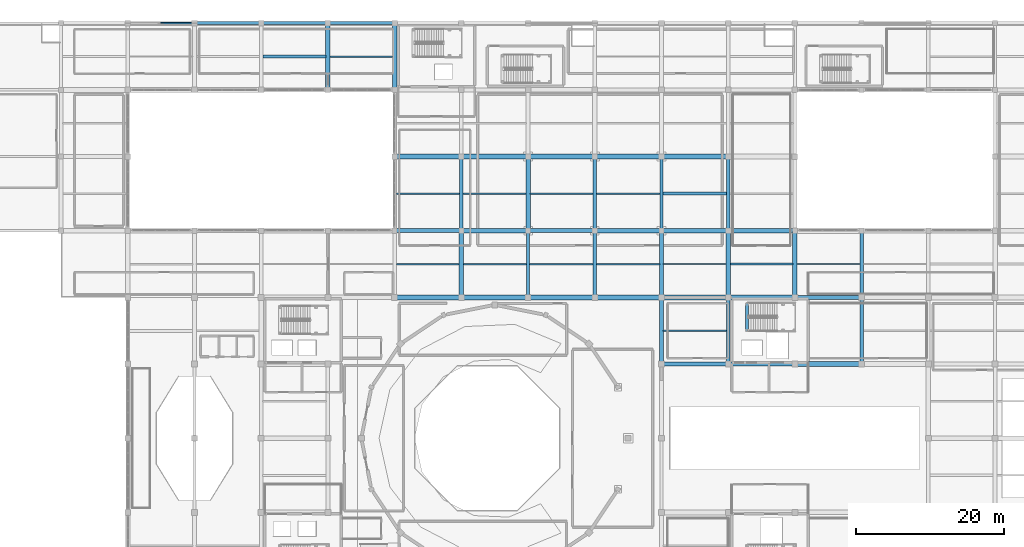
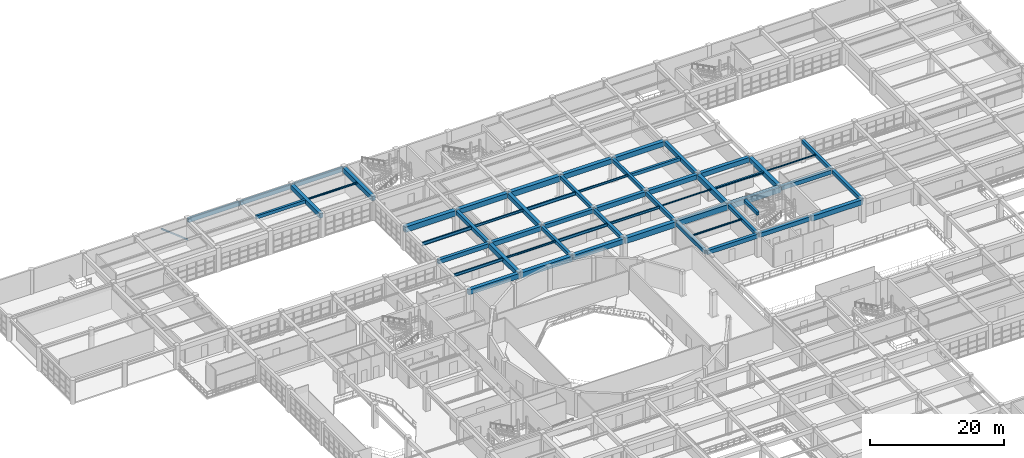
# One storey, part 72 of 133: 57 beams, 1 member.
"""IFC4 building model written with IfcOpenShell, lengths in metres."""

from ifc_helpers import new_model, si_unit, direction, frame, origin, origin_2d, place, context, subcontext, project, spatial, rectangle, hollow_rectangle, i_section, extrude, material, material_profile, profile_set, type_object, element, save


model = new_model("IFC4")

# Units and contexts
model_context = context("Model", 3, precision=1e-05, world=origin(), true_north=direction((0.0, 1.0)))
body_context = subcontext(model_context, "Body", "Model", "MODEL_VIEW")
ifc_project = project(units=[si_unit("LENGTHUNIT", "METRE"), si_unit("AREAUNIT", "SQUARE_METRE"), si_unit("VOLUMEUNIT", "CUBIC_METRE"), si_unit("PLANEANGLEUNIT", "RADIAN"), si_unit("MASSUNIT", "GRAM", prefix="KILO")], contexts=[model_context])

# Site, building, storey
site_placement = place(None, origin())
site = spatial("IfcSite", under=ifc_project, at=site_placement, CompositionType="ELEMENT")
building_placement = place(site_placement, origin())
building = spatial("IfcBuilding", under=site, at=building_placement, Name="Miravela Opera House", CompositionType="ELEMENT")
storey_placement = place(building_placement, frame((0.0, 0.0, 5.10009765625)))
storey = spatial("IfcBuildingStorey", under=building, at=storey_placement, Name="L01", CompositionType="ELEMENT", Elevation=5.10009765625)

# Beams
ifc_material_1 = material(Name="Concrete C35/45", Category="concrete")
ifc_material_profile_1 = material_profile(ifc_material_1, rectangle(XDim=0.39990234375, YDim=0.60009765625, at=origin_2d()), Name="RC-BM-400X600")
ifc_profile_set_1 = profile_set([ifc_material_profile_1])
beam_type_1 = type_object("IfcBeamType", Name="STR-BM-RC400X600", PredefinedType="JOIST", material=ifc_profile_set_1)
beam_1_placement = place(storey_placement, frame((45.22509765625, 107.5, 3.85986328125), z_axis=(1.0, 0.0, 0.0), x_axis=(0.0, 1.0, 0.0)))
element("IfcBeam", 1, at=beam_1_placement, inside=storey, type_object=beam_type_1, Name="Secondary Floor Joist L01 6-7/L-M", PredefinedType="JOIST", context=body_context, shape_type="SweptSolid", body=[
    extrude(rectangle(XDim=0.39990234375, YDim=0.60009765625, at=origin_2d()), origin(), (0.0, 0.0, 1.0), 8.489990234375),
])
beam_2_placement = place(storey_placement, frame((99.2099609375, 89.0, 3.85986328125), z_axis=(1.0, 0.0, 0.0), x_axis=(0.0, 1.0, 0.0)))
element("IfcBeam", 2, at=beam_2_placement, inside=storey, type_object=beam_type_1, Name="Secondary Floor Joist L01 12-13/J-K", PredefinedType="JOIST", context=body_context, shape_type="SweptSolid", body=[
    extrude(rectangle(XDim=0.39990234375, YDim=0.60009765625, at=origin_2d()), origin(), (0.0, 0.0, 1.0), 8.554931640625),
])
beam_3_placement = place(storey_placement, frame((110.5400390625, 70.39990234375, 4.119873046875), z_axis=(0.0, 1.0, 0.0), x_axis=(-1.0, 0.0, 0.0)))
element("IfcBeam", 3, at=beam_3_placement, inside=storey, type_object=beam_type_1, Name="Stair K3 Opening Header Trimmer Beam 02", PredefinedType="JOIST", context=body_context, shape_type="SweptSolid", body=[
    extrude(rectangle(XDim=0.39990234375, YDim=0.60009765625, at=origin_2d()), origin(), (0.0, 0.0, 1.0), 3.880126953125),
])
ifc_material_profile_2 = material_profile(ifc_material_1, rectangle(XDim=0.449951171875, YDim=0.64990234375, at=origin_2d()), Name="RC-BM-450X650")
ifc_profile_set_2 = profile_set([ifc_material_profile_2])
beam_type_2 = type_object("IfcBeamType", Name="STR-BM-RC450X650", PredefinedType="BEAM", material=ifc_profile_set_2)
beam_4_placement = place(storey_placement, frame((81.0, 75.080078125, 3.8349609375), z_axis=(0.0, 1.0, 0.0), x_axis=(-1.0, 0.0, 0.0)))
element("IfcBeam", 4, at=beam_4_placement, inside=storey, type_object=beam_type_2, Name="Floor Girder L01 10/I-J", PredefinedType="BEAM", context=body_context, shape_type="SweptSolid", body=[
    extrude(rectangle(XDim=0.449951171875, YDim=0.64990234375, at=origin_2d()), origin(), (0.0, 0.0, 1.0), 8.83984375),
])
for number, where, z_axis, x_axis, name in (
    (5, (90.0, 84.080078125, 3.8349609375), (0.0, 1.0, 0.0), (-1.0, 0.0, 0.0), "Floor Girder L01 11/J-K"),
    (6, (99.0, 84.080078125, 3.8349609375), (0.0, 1.0, 0.0), (-1.0, 0.0, 0.0), "Floor Girder L01 12/J-K"),
):
    element("IfcBeam", number, at=place(storey_placement, frame(where, z_axis=z_axis, x_axis=x_axis)), inside=storey, type_object=beam_type_2, Name=name, PredefinedType="BEAM", context=body_context, shape_type="SweptSolid", body=[
        extrude(rectangle(XDim=0.449951171875, YDim=0.64990234375, at=origin_2d()), origin(), (0.0, 0.0, 1.0), 9.83984375),
    ])
for number, where, z_axis, x_axis, name in (
    (7, (108.0, 66.080078125, 3.8349609375), (0.0, 1.0, 0.0), (-1.0, 0.0, 0.0), "Floor Girder L01 13/H-I"),
    (8, (126.0, 75.080078125, 3.8349609375), (0.0, 1.0, 0.0), (-1.0, 0.0, 0.0), "Floor Girder L01 15/I-J"),
):
    element("IfcBeam", number, at=place(storey_placement, frame(where, z_axis=z_axis, x_axis=x_axis)), inside=storey, type_object=beam_type_2, Name=name, PredefinedType="BEAM", context=body_context, shape_type="SweptSolid", body=[
        extrude(rectangle(XDim=0.449951171875, YDim=0.64990234375, at=origin_2d()), origin(), (0.0, 0.0, 1.0), 8.83984375),
    ])
ifc_material_profile_3 = material_profile(ifc_material_1, rectangle(XDim=0.47998046875, YDim=0.679931640625, at=origin_2d()), Name="RC-BM-480X680")
ifc_profile_set_3 = profile_set([ifc_material_profile_3])
beam_type_3 = type_object("IfcBeamType", Name="STR-BM-RC480X680", PredefinedType="BEAM", material=ifc_profile_set_3)
for number, where, z_axis, x_axis, name in (
    (9, (90.0, 75.080078125, 3.81982421875), (0.0, 1.0, 0.0), (-1.0, 0.0, 0.0), "Floor Girder L01 11/I-J"),
    (10, (99.0, 75.080078125, 3.81982421875), (0.0, 1.0, 0.0), (-1.0, 0.0, 0.0), "Floor Girder L01 12/I-J"),
    (11, (126.0, 66.080078125, 3.81982421875), (0.0, 1.0, 0.0), (-1.0, 0.0, 0.0), "Floor Girder L01 15/H-I"),
):
    element("IfcBeam", number, at=place(storey_placement, frame(where, z_axis=z_axis, x_axis=x_axis)), inside=storey, type_object=beam_type_3, Name=name, PredefinedType="BEAM", context=body_context, shape_type="SweptSolid", body=[
        extrude(rectangle(XDim=0.47998046875, YDim=0.679931640625, at=origin_2d()), origin(), (0.0, 0.0, 1.0), 8.83984375),
    ])
ifc_material_profile_4 = material_profile(ifc_material_1, rectangle(XDim=0.5, YDim=0.699951171875, at=origin_2d()), Name="RC-BM-500X700")
ifc_profile_set_4 = profile_set([ifc_material_profile_4])
beam_type_4 = type_object("IfcBeamType", Name="STR-BM-RC500X700", PredefinedType="BEAM", material=ifc_profile_set_4)
beam_5_placement = place(storey_placement, frame((72.0, 84.080078125, 3.809814453125), z_axis=(0.0, 1.0, 0.0), x_axis=(-1.0, 0.0, 0.0)))
element("IfcBeam", 12, at=beam_5_placement, inside=storey, type_object=beam_type_4, Name="Floor Girder L01 9/J-K", PredefinedType="BEAM", context=body_context, shape_type="SweptSolid", body=[
    extrude(rectangle(XDim=0.5, YDim=0.699951171875, at=origin_2d()), origin(), (0.0, 0.0, 1.0), 9.83984375),
])
beam_6_placement = place(storey_placement, frame((99.0, 66.080078125, 3.809814453125), z_axis=(0.0, 1.0, 0.0), x_axis=(-1.0, 0.0, 0.0)))
element("IfcBeam", 13, at=beam_6_placement, inside=storey, type_object=beam_type_4, Name="Floor Girder L01 12/H-I", PredefinedType="BEAM", context=body_context, shape_type="SweptSolid", body=[
    extrude(rectangle(XDim=0.5, YDim=0.699951171875, at=origin_2d()), origin(), (0.0, 0.0, 1.0), 8.83984375),
])
beam_7_placement = place(storey_placement, frame((108.0, 84.080078125, 3.809814453125), z_axis=(0.0, 1.0, 0.0), x_axis=(-1.0, 0.0, 0.0)))
element("IfcBeam", 14, at=beam_7_placement, inside=storey, type_object=beam_type_4, Name="Floor Girder L01 13/J-K", PredefinedType="BEAM", context=body_context, shape_type="SweptSolid", body=[
    extrude(rectangle(XDim=0.5, YDim=0.699951171875, at=origin_2d()), origin(), (0.0, 0.0, 1.0), 9.83984375),
])
ifc_material_profile_5 = material_profile(ifc_material_1, rectangle(XDim=0.550048828125, YDim=0.75, at=origin_2d()), Name="RC-BM-550X750")
ifc_profile_set_5 = profile_set([ifc_material_profile_5])
beam_type_5 = type_object("IfcBeamType", Name="STR-BM-RC550X750", PredefinedType="BEAM", material=ifc_profile_set_5)
for number, where, z_axis, x_axis, name in (
    (15, (63.080078125, 84.0, 3.784912109375), (1.0, 0.0, 0.0), (0.0, 1.0, 0.0), "Floor Girder L01 8-9/J"),
    (16, (81.080078125, 84.0, 3.784912109375), (1.0, 0.0, 0.0), (0.0, 1.0, 0.0), "Floor Girder L01 10-11/J"),
    (17, (99.080078125, 66.0, 3.784912109375), (1.0, 0.0, 0.0), (0.0, 1.0, 0.0), "Floor Girder L01 12-13/H"),
    (18, (108.080078125, 66.0, 3.784912109375), (1.0, 0.0, 0.0), (0.0, 1.0, 0.0), "Floor Girder L01 13-14/H"),
    (19, (117.080078125, 75.0, 3.784912109375), (1.0, 0.0, 0.0), (0.0, 1.0, 0.0), "Floor Girder L01 14-15/I"),
):
    element("IfcBeam", number, at=place(storey_placement, frame(where, z_axis=z_axis, x_axis=x_axis)), inside=storey, type_object=beam_type_5, Name=name, PredefinedType="BEAM", context=body_context, shape_type="SweptSolid", body=[
        extrude(rectangle(XDim=0.550048828125, YDim=0.75, at=origin_2d()), origin(), (0.0, 0.0, 1.0), 8.83984375),
    ])
ifc_material_2 = material(Name="Concrete C40/50", Category="concrete")
ifc_material_profile_6 = material_profile(ifc_material_2, rectangle(XDim=0.60009765625, YDim=0.85009765625, at=origin_2d()), Name="RC-BM-600X850")
ifc_profile_set_6 = profile_set([ifc_material_profile_6])
beam_type_6 = type_object("IfcBeamType", Name="STR-BM-RC600X850", PredefinedType="BEAM", material=ifc_profile_set_6)
for number, where, z_axis, x_axis, name in (
    (20, (72.080078125, 84.0, 3.73486328125), (1.0, 0.0, 0.0), (0.0, 1.0, 0.0), "Floor Girder L01 9-10/J"),
    (21, (90.080078125, 84.0, 3.73486328125), (1.0, 0.0, 0.0), (0.0, 1.0, 0.0), "Floor Girder L01 11-12/J"),
    (22, (99.080078125, 84.0, 3.73486328125), (1.0, 0.0, 0.0), (0.0, 1.0, 0.0), "Floor Girder L01 12-13/J"),
    (23, (108.080078125, 84.0, 3.73486328125), (1.0, 0.0, 0.0), (0.0, 1.0, 0.0), "Floor Girder L01 13-14/J"),
    (24, (54.0, 103.080078125, 3.73486328125), (0.0, 1.0, 0.0), (-1.0, 0.0, 0.0), "Floor Girder L01 7/L-M"),
    (25, (63.0, 103.080078125, 3.73486328125), (0.0, 1.0, 0.0), (-1.0, 0.0, 0.0), "Floor Girder L01 8/L-M"),
    (26, (72.0, 75.080078125, 3.73486328125), (0.0, 1.0, 0.0), (-1.0, 0.0, 0.0), "Floor Girder L01 9/I-J"),
):
    element("IfcBeam", number, at=place(storey_placement, frame(where, z_axis=z_axis, x_axis=x_axis)), inside=storey, type_object=beam_type_6, Name=name, PredefinedType="BEAM", context=body_context, shape_type="SweptSolid", body=[
        extrude(rectangle(XDim=0.60009765625, YDim=0.85009765625, at=origin_2d()), origin(), (0.0, 0.0, 1.0), 8.83984375),
    ])
beam_8_placement = place(storey_placement, frame((81.0, 84.080078125, 3.73486328125), z_axis=(0.0, 1.0, 0.0), x_axis=(-1.0, 0.0, 0.0)))
element("IfcBeam", 27, at=beam_8_placement, inside=storey, type_object=beam_type_6, Name="Floor Girder L01 10/J-K", PredefinedType="BEAM", context=body_context, shape_type="SweptSolid", body=[
    extrude(rectangle(XDim=0.60009765625, YDim=0.85009765625, at=origin_2d()), origin(), (0.0, 0.0, 1.0), 9.83984375),
])
for number, where, z_axis, x_axis, name in (
    (28, (108.0, 75.080078125, 3.73486328125), (0.0, 1.0, 0.0), (-1.0, 0.0, 0.0), "Floor Girder L01 13/I-J"),
    (29, (117.0, 75.080078125, 3.73486328125), (0.0, 1.0, 0.0), (-1.0, 0.0, 0.0), "Floor Girder L01 14/I-J"),
):
    element("IfcBeam", number, at=place(storey_placement, frame(where, z_axis=z_axis, x_axis=x_axis)), inside=storey, type_object=beam_type_6, Name=name, PredefinedType="BEAM", context=body_context, shape_type="SweptSolid", body=[
        extrude(rectangle(XDim=0.60009765625, YDim=0.85009765625, at=origin_2d()), origin(), (0.0, 0.0, 1.0), 8.83984375),
    ])
ifc_material_profile_7 = material_profile(ifc_material_2, rectangle(XDim=0.64990234375, YDim=0.89990234375, at=origin_2d()), Name="RC-BM-650X900")
ifc_profile_set_7 = profile_set([ifc_material_profile_7])
beam_type_7 = type_object("IfcBeamType", Name="STR-BM-RC650X900", PredefinedType="BEAM", material=ifc_profile_set_7)
for number, where, z_axis, x_axis, name in (
    (30, (63.080078125, 75.0, 3.7099609375), (1.0, 0.0, 0.0), (0.0, 1.0, 0.0), "Floor Girder L01 8-9/I"),
    (31, (72.080078125, 94.0, 3.7099609375), (1.0, 0.0, 0.0), (0.0, 1.0, 0.0), "Floor Girder L01 9-10/K"),
    (32, (81.080078125, 75.0, 3.7099609375), (1.0, 0.0, 0.0), (0.0, 1.0, 0.0), "Floor Girder L01 10-11/I"),
    (33, (90.080078125, 94.0, 3.7099609375), (1.0, 0.0, 0.0), (0.0, 1.0, 0.0), "Floor Girder L01 11-12/K"),
    (34, (99.080078125, 94.0, 3.7099609375), (1.0, 0.0, 0.0), (0.0, 1.0, 0.0), "Floor Girder L01 12-13/K"),
    (35, (117.080078125, 66.0, 3.7099609375), (1.0, 0.0, 0.0), (0.0, 1.0, 0.0), "Floor Girder L01 14-15/H"),
):
    element("IfcBeam", number, at=place(storey_placement, frame(where, z_axis=z_axis, x_axis=x_axis)), inside=storey, type_object=beam_type_7, Name=name, PredefinedType="BEAM", context=body_context, shape_type="SweptSolid", body=[
        extrude(rectangle(XDim=0.64990234375, YDim=0.89990234375, at=origin_2d()), origin(), (0.0, 0.0, 1.0), 8.83984375),
    ])
ifc_material_profile_8 = material_profile(ifc_material_2, rectangle(XDim=0.699951171875, YDim=1.0, at=origin_2d()), Name="RC-BM-700X1000")
ifc_profile_set_8 = profile_set([ifc_material_profile_8])
beam_type_8 = type_object("IfcBeamType", Name="STR-BM-RC700X1000", PredefinedType="BEAM", material=ifc_profile_set_8)
for number, where, z_axis, x_axis, name in (
    (36, (63.080078125, 94.0, 3.659912109375), (1.0, 0.0, 0.0), (0.0, 1.0, 0.0), "Floor Girder L01 8-9/K"),
    (37, (72.080078125, 75.0, 3.659912109375), (1.0, 0.0, 0.0), (0.0, 1.0, 0.0), "Floor Girder L01 9-10/I"),
    (38, (81.080078125, 94.0, 3.659912109375), (1.0, 0.0, 0.0), (0.0, 1.0, 0.0), "Floor Girder L01 10-11/K"),
    (39, (90.080078125, 75.0, 3.659912109375), (1.0, 0.0, 0.0), (0.0, 1.0, 0.0), "Floor Girder L01 11-12/I"),
    (40, (99.080078125, 75.0, 3.659912109375), (1.0, 0.0, 0.0), (0.0, 1.0, 0.0), "Floor Girder L01 12-13/I"),
    (41, (108.080078125, 75.0, 3.659912109375), (1.0, 0.0, 0.0), (0.0, 1.0, 0.0), "Floor Girder L01 13-14/I"),
):
    element("IfcBeam", number, at=place(storey_placement, frame(where, z_axis=z_axis, x_axis=x_axis)), inside=storey, type_object=beam_type_8, Name=name, PredefinedType="BEAM", context=body_context, shape_type="SweptSolid", body=[
        extrude(rectangle(XDim=0.699951171875, YDim=1.0, at=origin_2d()), origin(), (0.0, 0.0, 1.0), 8.83984375),
    ])
ifc_material_3 = material(Name="Structural steel ASTM A992 Gr. 50", Category="steel")
ifc_material_profile_9 = material_profile(ifc_material_3, i_section(OverallWidth=0.1650390625, OverallDepth=0.200927734375, WebThickness=0.006103515625, FlangeThickness=0.01025390625, FilletRadius=0.010009765625, at=origin_2d()), Name="W200X36")
ifc_profile_set_9 = profile_set([ifc_material_profile_9])
beam_type_9 = type_object("IfcBeamType", Name="STR-BM-W200X36", PredefinedType="LINTEL", material=ifc_profile_set_9)
beam_9_placement = place(storey_placement, frame((99.22509765625, 79.5, 4.059326171875), z_axis=(1.0, 0.0, 0.0), x_axis=(0.0, 1.0, 0.0)))
element("IfcBeam", 42, at=beam_9_placement, inside=storey, type_object=beam_type_9, Name="Secondary Floor Joist L01 12-13/I-J", PredefinedType="LINTEL", context=body_context, shape_type="SweptSolid", body=[
    extrude(i_section(OverallWidth=0.1650390625, OverallDepth=0.200927734375, WebThickness=0.006103515625, FlangeThickness=0.01025390625, FilletRadius=0.010009765625, at=origin_2d()), origin(), (0.0, 0.0, 1.0), 8.489990234375),
])
beam_10_placement = place(storey_placement, frame((117.284912109375, 79.5, 4.059326171875), z_axis=(1.0, 0.0, 0.0), x_axis=(0.0, 1.0, 0.0)))
element("IfcBeam", 43, at=beam_10_placement, inside=storey, type_object=beam_type_9, Name="Secondary Floor Joist L01 14-15/I-J", PredefinedType="LINTEL", context=body_context, shape_type="SweptSolid", body=[
    extrude(i_section(OverallWidth=0.1650390625, OverallDepth=0.200927734375, WebThickness=0.006103515625, FlangeThickness=0.01025390625, FilletRadius=0.010009765625, at=origin_2d()), origin(), (0.0, 0.0, 1.0), 8.505126953125),
])
ifc_material_profile_10 = material_profile(ifc_material_3, i_section(OverallWidth=0.201904296875, OverallDepth=0.2470703125, WebThickness=0.00732421875, FlangeThickness=0.010986328125, FilletRadius=0.011962890625, at=origin_2d()), Name="W250X49")
ifc_profile_set_10 = profile_set([ifc_material_profile_10])
beam_type_10 = type_object("IfcBeamType", Name="STR-BM-W250X49", PredefinedType="LINTEL", material=ifc_profile_set_10)
beam_11_placement = place(storey_placement, frame((99.235107421875, 70.5, 4.036376953125), z_axis=(1.0, 0.0, 0.0), x_axis=(0.0, 1.0, 0.0)))
element("IfcBeam", 44, at=beam_11_placement, inside=storey, type_object=beam_type_10, Name="Secondary Floor Joist L01 12-13/H-I", PredefinedType="LINTEL", context=body_context, shape_type="SweptSolid", body=[
    extrude(i_section(OverallWidth=0.201904296875, OverallDepth=0.2470703125, WebThickness=0.00732421875, FlangeThickness=0.010986328125, FilletRadius=0.011962890625, at=origin_2d()), origin(), (0.0, 0.0, 1.0), 8.554931640625),
])
ifc_material_profile_11 = material_profile(ifc_material_3, i_section(OverallWidth=0.202880859375, OverallDepth=0.302978515625, WebThickness=0.007568359375, FlangeThickness=0.01318359375, FilletRadius=0.012939453125, at=origin_2d()), Name="W310X60")
ifc_profile_set_11 = profile_set([ifc_material_profile_11])
beam_type_11 = type_object("IfcBeamType", Name="STR-BM-W310X60", PredefinedType="JOIST", material=ifc_profile_set_11)
beam_12_placement = place(storey_placement, frame((54.284912109375, 107.5, 4.00830078125), z_axis=(1.0, 0.0, 0.0), x_axis=(0.0, 1.0, 0.0)))
element("IfcBeam", 45, at=beam_12_placement, inside=storey, type_object=beam_type_11, Name="Secondary Floor Joist L01 7-8/L-M", PredefinedType="JOIST", context=body_context, shape_type="SweptSolid", body=[
    extrude(i_section(OverallWidth=0.202880859375, OverallDepth=0.302978515625, WebThickness=0.007568359375, FlangeThickness=0.01318359375, FilletRadius=0.012939453125, at=origin_2d()), origin(), (0.0, 0.0, 1.0), 8.43017578125),
])
ifc_material_profile_12 = material_profile(ifc_material_3, i_section(OverallWidth=0.304931640625, OverallDepth=0.30810546875, WebThickness=0.010009765625, FlangeThickness=0.015380859375, FilletRadius=0.013916015625, at=origin_2d()), Name="W310X97")
ifc_profile_set_12 = profile_set([ifc_material_profile_12])
beam_type_12 = type_object("IfcBeamType", Name="STR-BM-W310X97", PredefinedType="JOIST", material=ifc_profile_set_12)
beam_13_placement = place(storey_placement, frame((108.284912109375, 79.5, 4.005859375), z_axis=(1.0, 0.0, 0.0), x_axis=(0.0, 1.0, 0.0)))
element("IfcBeam", 46, at=beam_13_placement, inside=storey, type_object=beam_type_12, Name="Secondary Floor Joist L01 13-14/I-J", PredefinedType="JOIST", context=body_context, shape_type="SweptSolid", body=[
    extrude(i_section(OverallWidth=0.304931640625, OverallDepth=0.30810546875, WebThickness=0.010009765625, FlangeThickness=0.015380859375, FilletRadius=0.013916015625, at=origin_2d()), origin(), (0.0, 0.0, 1.0), 8.43017578125),
])
ifc_material_profile_13 = material_profile(ifc_material_3, i_section(OverallWidth=0.2041015625, OverallDepth=0.35009765625, WebThickness=0.008544921875, FlangeThickness=0.01513671875, FilletRadius=0.013916015625, at=origin_2d()), Name="W360X72")
ifc_profile_set_13 = profile_set([ifc_material_profile_13])
beam_type_13 = type_object("IfcBeamType", Name="STR-BM-W360X72", PredefinedType="JOIST", material=ifc_profile_set_13)
beam_14_placement = place(storey_placement, frame((72.284912109375, 79.5, 3.98486328125), z_axis=(1.0, 0.0, 0.0), x_axis=(0.0, 1.0, 0.0)))
element("IfcBeam", 47, at=beam_14_placement, inside=storey, type_object=beam_type_13, Name="Secondary Floor Joist L01 9-10/I-J", PredefinedType="JOIST", context=body_context, shape_type="SweptSolid", body=[
    extrude(i_section(OverallWidth=0.2041015625, OverallDepth=0.35009765625, WebThickness=0.008544921875, FlangeThickness=0.01513671875, FilletRadius=0.013916015625, at=origin_2d()), origin(), (0.0, 0.0, 1.0), 8.505126953125),
])
ifc_material_profile_14 = material_profile(ifc_material_3, i_section(OverallWidth=0.180908203125, OverallDepth=0.4169921875, WebThickness=0.010986328125, FlangeThickness=0.018310546875, FilletRadius=0.013916015625, at=origin_2d()), Name="W410X85")
ifc_profile_set_14 = profile_set([ifc_material_profile_14])
beam_type_14 = type_object("IfcBeamType", Name="STR-BM-W410X85", PredefinedType="JOIST", material=ifc_profile_set_14)
beam_15_placement = place(storey_placement, frame((90.2099609375, 89.0, 3.951416015625), z_axis=(1.0, 0.0, 0.0), x_axis=(0.0, 1.0, 0.0)))
element("IfcBeam", 48, at=beam_15_placement, inside=storey, type_object=beam_type_14, Name="Secondary Floor Joist L01 11-12/J-K", PredefinedType="JOIST", context=body_context, shape_type="SweptSolid", body=[
    extrude(i_section(OverallWidth=0.180908203125, OverallDepth=0.4169921875, WebThickness=0.010986328125, FlangeThickness=0.018310546875, FilletRadius=0.013916015625, at=origin_2d()), origin(), (0.0, 0.0, 1.0), 8.580078125),
])
ifc_material_profile_15 = material_profile(ifc_material_3, i_section(OverallWidth=0.19091796875, OverallDepth=0.4599609375, WebThickness=0.010009765625, FlangeThickness=0.01611328125, FilletRadius=0.014892578125, at=origin_2d()), Name="W460X82")
ifc_profile_set_15 = profile_set([ifc_material_profile_15])
beam_type_15 = type_object("IfcBeamType", Name="STR-BM-W460X82", PredefinedType="JOIST", material=ifc_profile_set_15)
beam_16_placement = place(storey_placement, frame((72.235107421875, 89.0, 3.929931640625), z_axis=(1.0, 0.0, 0.0), x_axis=(0.0, 1.0, 0.0)))
element("IfcBeam", 49, at=beam_16_placement, inside=storey, type_object=beam_type_15, Name="Secondary Floor Joist L01 9-10/J-K", PredefinedType="JOIST", context=body_context, shape_type="SweptSolid", body=[
    extrude(i_section(OverallWidth=0.19091796875, OverallDepth=0.4599609375, WebThickness=0.010009765625, FlangeThickness=0.01611328125, FilletRadius=0.014892578125, at=origin_2d()), origin(), (0.0, 0.0, 1.0), 8.47998046875),
])
beam_17_placement = place(storey_placement, frame((90.22509765625, 79.5, 3.929931640625), z_axis=(1.0, 0.0, 0.0), x_axis=(0.0, 1.0, 0.0)))
element("IfcBeam", 50, at=beam_17_placement, inside=storey, type_object=beam_type_15, Name="Secondary Floor Joist L01 11-12/I-J", PredefinedType="JOIST", context=body_context, shape_type="SweptSolid", body=[
    extrude(i_section(OverallWidth=0.19091796875, OverallDepth=0.4599609375, WebThickness=0.010009765625, FlangeThickness=0.01611328125, FilletRadius=0.014892578125, at=origin_2d()), origin(), (0.0, 0.0, 1.0), 8.5498046875),
])
ifc_material_profile_16 = material_profile(ifc_material_3, i_section(OverallWidth=0.208984375, OverallDepth=0.532958984375, WebThickness=0.01025390625, FlangeThickness=0.015625, FilletRadius=0.014892578125, at=origin_2d()), Name="W530X92")
ifc_profile_set_16 = profile_set([ifc_material_profile_16])
beam_type_16 = type_object("IfcBeamType", Name="STR-BM-W530X92", PredefinedType="BEAM", material=ifc_profile_set_16)
beam_18_placement = place(storey_placement, frame((63.235107421875, 79.5, 3.893310546875), z_axis=(1.0, 0.0, 0.0), x_axis=(0.0, 1.0, 0.0)))
element("IfcBeam", 51, at=beam_18_placement, inside=storey, type_object=beam_type_16, Name="Secondary Floor Joist L01 8-9/I-J", PredefinedType="BEAM", context=body_context, shape_type="SweptSolid", body=[
    extrude(i_section(OverallWidth=0.208984375, OverallDepth=0.532958984375, WebThickness=0.01025390625, FlangeThickness=0.015625, FilletRadius=0.014892578125, at=origin_2d()), origin(), (0.0, 0.0, 1.0), 8.47998046875),
])
beam_19_placement = place(storey_placement, frame((81.2099609375, 79.5, 3.893310546875), z_axis=(1.0, 0.0, 0.0), x_axis=(0.0, 1.0, 0.0)))
element("IfcBeam", 52, at=beam_19_placement, inside=storey, type_object=beam_type_16, Name="Secondary Floor Joist L01 10-11/I-J", PredefinedType="BEAM", context=body_context, shape_type="SweptSolid", body=[
    extrude(i_section(OverallWidth=0.208984375, OverallDepth=0.532958984375, WebThickness=0.01025390625, FlangeThickness=0.015625, FilletRadius=0.014892578125, at=origin_2d()), origin(), (0.0, 0.0, 1.0), 8.56494140625),
])
ifc_material_profile_17 = material_profile(ifc_material_3, i_section(OverallWidth=0.22802734375, OverallDepth=0.60791015625, WebThickness=0.01123046875, FlangeThickness=0.017333984375, FilletRadius=0.01611328125, at=origin_2d()), Name="W610X113")
ifc_profile_set_17 = profile_set([ifc_material_profile_17])
beam_type_17 = type_object("IfcBeamType", Name="STR-BM-W610X113", PredefinedType="BEAM", material=ifc_profile_set_17)
beam_20_placement = place(storey_placement, frame((63.22509765625, 89.0, 3.85595703125), z_axis=(1.0, 0.0, 0.0), x_axis=(0.0, 1.0, 0.0)))
element("IfcBeam", 53, at=beam_20_placement, inside=storey, type_object=beam_type_17, Name="Secondary Floor Joist L01 8-9/J-K", PredefinedType="BEAM", context=body_context, shape_type="SweptSolid", body=[
    extrude(i_section(OverallWidth=0.22802734375, OverallDepth=0.60791015625, WebThickness=0.01123046875, FlangeThickness=0.017333984375, FilletRadius=0.01611328125, at=origin_2d()), origin(), (0.0, 0.0, 1.0), 8.539794921875),
])
beam_21_placement = place(storey_placement, frame((81.284912109375, 89.0, 3.85595703125), z_axis=(1.0, 0.0, 0.0), x_axis=(0.0, 1.0, 0.0)))
element("IfcBeam", 54, at=beam_21_placement, inside=storey, type_object=beam_type_17, Name="Secondary Floor Joist L01 10-11/J-K", PredefinedType="BEAM", context=body_context, shape_type="SweptSolid", body=[
    extrude(i_section(OverallWidth=0.22802734375, OverallDepth=0.60791015625, WebThickness=0.01123046875, FlangeThickness=0.017333984375, FilletRadius=0.01611328125, at=origin_2d()), origin(), (0.0, 0.0, 1.0), 8.505126953125),
])

# Member
ifc_material_4 = material(Name="Hollow structural steel ASTM A500 Gr. C", Category="steel")
ifc_material_profile_18 = material_profile(ifc_material_4, hollow_rectangle(XDim=0.25, YDim=0.25, WallThickness=0.011962890625, InnerFilletRadius=0.011962890625, OuterFilletRadius=0.02392578125, at=origin_2d()), Name="HSS250X250X12")
ifc_profile_set_18 = profile_set([ifc_material_profile_18])
member_type = type_object("IfcMemberType", Name="STR-MEM-FRAME-BR1", PredefinedType="BRACE", material=ifc_profile_set_18)
member_placement = place(storey_placement, frame((36.0, 112.0, 0.2998046875), z_axis=(-0.788501476184, 0.0, 0.615032862581), x_axis=(0.0, -1.0, 0.0)))
element("IfcMember", 55, at=member_placement, inside=storey, type_object=member_type, Name="Concentric Braced Frame BF-N1 L01 Right Brace", PredefinedType="BRACE", context=body_context, shape_type="SweptSolid", body=[
    extrude(hollow_rectangle(XDim=0.25, YDim=0.25, WallThickness=0.011962890625, InnerFilletRadius=0.011962890625, OuterFilletRadius=0.02392578125, at=origin_2d()), origin(), (0.0, 0.0, 1.0), 5.70703125),
])

# Beams
ifc_material_profile_19 = material_profile(ifc_material_1, rectangle(XDim=0.39990234375, YDim=0.75, at=origin_2d()), Name="RC-SPN-400X750")
ifc_profile_set_19 = profile_set([ifc_material_profile_19])
beam_type_18 = type_object("IfcBeamType", Name="STR-SPN-RC400X750", PredefinedType="SPANDREL", material=ifc_profile_set_19)
for number, where, z_axis, x_axis, name in (
    (56, (36.080078125, 112.0, 3.784912109375), (1.0, 0.0, 0.0), (0.0, 1.0, 0.0), "Floor Girder L01 5-6/M"),
    (57, (45.080078125, 112.0, 3.784912109375), (1.0, 0.0, 0.0), (0.0, 1.0, 0.0), "Floor Girder L01 6-7/M"),
    (58, (54.080078125, 112.0, 3.784912109375), (1.0, 0.0, 0.0), (0.0, 1.0, 0.0), "Floor Girder L01 7-8/M"),
):
    element("IfcBeam", number, at=place(storey_placement, frame(where, z_axis=z_axis, x_axis=x_axis)), inside=storey, type_object=beam_type_18, Name=name, PredefinedType="SPANDREL", context=body_context, shape_type="SweptSolid", body=[
        extrude(rectangle(XDim=0.39990234375, YDim=0.75, at=origin_2d()), origin(), (0.0, 0.0, 1.0), 8.83984375),
    ])

save(model, "model.ifc")
